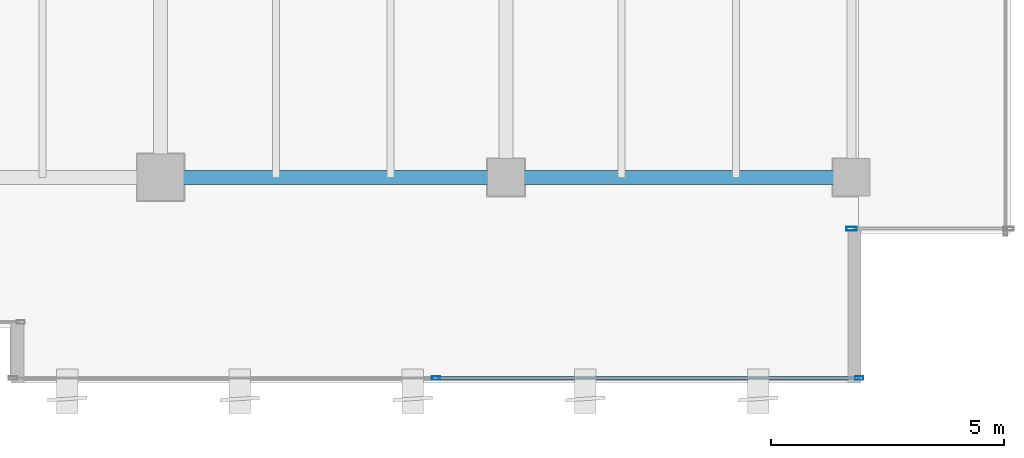
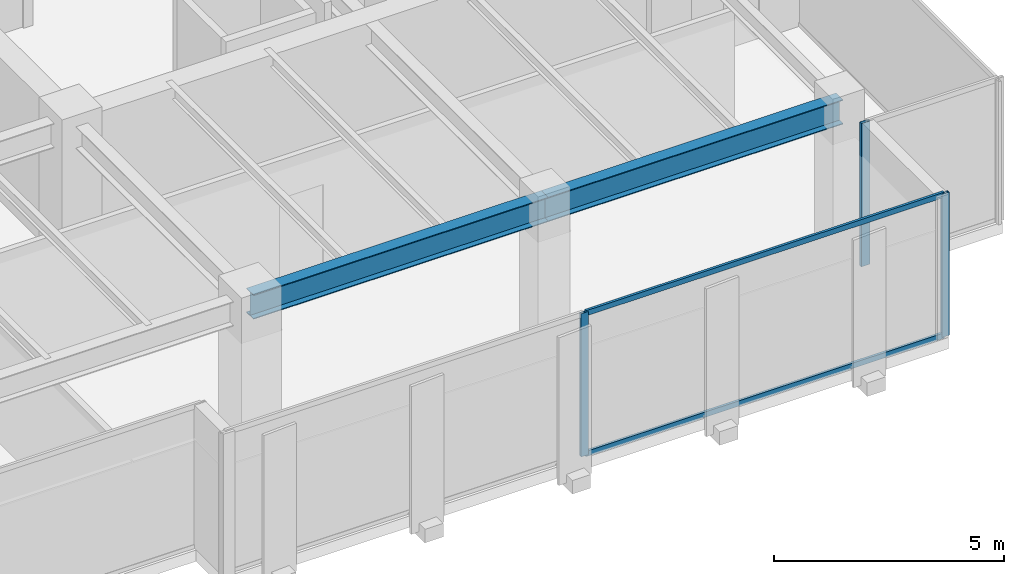
# One storey, part 13 of 35: 5 members, 2 beams, 2 elements without a shape of their own.
"""IFC4 building model written with IfcOpenShell, lengths in metres."""

from ifc_helpers import new_model, si_unit, direction, frame, origin, origin_2d, place, context, subcontext, project, spatial, hollow_rectangle, i_section, extrude, source, transform, mapped, material, layer, layer_set, material_profile, profile_set, type_object, type_shapes, element, aggregate, save


model = new_model("IFC4")

# Units and contexts
model_context = context("Model", 3, precision=1e-05, world=origin(), true_north=direction((0.0, 1.0)))
body_context = subcontext(model_context, "Body", "Model", "MODEL_VIEW")
ifc_project = project(units=[si_unit("LENGTHUNIT", "METRE"), si_unit("AREAUNIT", "SQUARE_METRE"), si_unit("VOLUMEUNIT", "CUBIC_METRE"), si_unit("PLANEANGLEUNIT", "RADIAN"), si_unit("MASSUNIT", "GRAM", prefix="KILO")], contexts=[model_context])

# Site, building, storey
site_placement = place(None, origin())
site = spatial("IfcSite", under=ifc_project, at=site_placement, CompositionType="ELEMENT")
building_placement = place(site_placement, origin())
building = spatial("IfcBuilding", under=site, at=building_placement, Name="Haelvirn Gate Laboratories", CompositionType="ELEMENT")
storey_placement = place(building_placement, frame((0.0, 0.0, 201.39990234375)))
storey = spatial("IfcBuildingStorey", under=building, at=storey_placement, Name="L48", CompositionType="ELEMENT", Elevation=201.39990234375)

# Beams
ifc_material_1 = material(Name="Steel SM355", Category="steel")
ifc_material_profile_1 = material_profile(ifc_material_1, i_section(OverallWidth=0.300048828125, OverallDepth=0.64990234375, WebThickness=0.012939453125, FlangeThickness=0.02197265625, at=origin_2d()), Name="H-650x300x13x22")
ifc_profile_set_1 = profile_set([ifc_material_profile_1], Name="Steel SM355")
beam_type = type_object("IfcBeamType", Name="BM-G-650", PredefinedType="BEAM", material=ifc_profile_set_1)
shared_shape_1 = source(origin(), body_context, "Body", "SweptSolid", [
    extrude(i_section(OverallWidth=0.300048828125, OverallDepth=0.64990234375, WebThickness=0.012939453125, FlangeThickness=0.02197265625, at=origin_2d()), origin(), (0.0, 0.0, 1.0), 7.39990234375),
])
type_shapes(beam_type, [shared_shape_1])
for number, where, z_axis, x_axis, name in (
    (1, (52.60009765625, 7.0, 3.47509765625), (1.0, 0.0, 0.0), (0.0, 1.0, 0.0), "L48 Primary Girder Y7.0 (52.6-60.0)"),
    (2, (60.0, 7.0, 3.47509765625), (1.0, 0.0, 0.0), (0.0, 1.0, 0.0), "L48 Primary Girder Y7.0 (60.0-67.4)"),
):
    element("IfcBeam", number, at=place(storey_placement, frame(where, z_axis=z_axis, x_axis=x_axis)), inside=storey, type_object=beam_type, Name=name, PredefinedType="BEAM", context=body_context, shape_type="MappedRepresentation", body=[
        mapped(shared_shape_1, transform((0.0, 0.0, 0.0), scale=1.0)),
    ])

# Curtain wall, members
ifc_material_2 = material(Name="Anodised bronze unitised aluminium & triple low-E glass", Category="aluminium")
ifc_layer_1 = layer(ifc_material_2, 0.176025390625, Name="CW-SYS-4")
ifc_layer_set_1 = layer_set([ifc_layer_1], Name="Anodised bronze unitised aluminium & triple low-E glass")
curtain_wall_type_1 = type_object("IfcCurtainWallType", Name="CW-SYS-4", PredefinedType="NOTDEFINED", material=ifc_layer_set_1)
curtain_wall_1_placement = place(storey_placement, origin())
curtain_wall_1 = element("IfcCurtainWall", 3, at=curtain_wall_1_placement, inside=storey, type_object=curtain_wall_type_1, Name="L48 Unitised Curtain Wall CW-L48-P0-E04-1", PredefinedType="NOTDEFINED")
ifc_material_3 = material(Name="Extruded aluminium 6063-T6 (anodised bronze)", Category="aluminium")
ifc_material_profile_2 = material_profile(ifc_material_3, hollow_rectangle(XDim=0.06494140625, YDim=0.139892578125, WallThickness=0.00390625, at=origin_2d()), Name="CWT-140x65x4")
ifc_profile_set_2 = profile_set([ifc_material_profile_2], Name="Extruded aluminium 6063-T6 (anodised bronze)")
member_type_1 = type_object("IfcMemberType", Name="CWT-T140", PredefinedType="USERDEFINED", material=ifc_profile_set_2)
shared_shape_2 = source(origin(), body_context, "Body", "SweptSolid", [
    extrude(hollow_rectangle(XDim=0.06494140625, YDim=0.139892578125, WallThickness=0.00390625, at=origin_2d()), origin(), (0.0, 0.0, 1.0), 8.9951171875),
])
type_shapes(member_type_1, [shared_shape_2])
member_1_placement = place(storey_placement, frame((58.534912109375, 2.699951171875, 0.03271484375), z_axis=(1.0, 0.0, 0.0), x_axis=(0.0, 1.0, 0.0)))
member_1 = element("IfcMember", 4, at=member_1_placement, type_object=member_type_1, Name="CW4 transom 2.1", ObjectType="TRANSOM", PredefinedType="USERDEFINED", context=body_context, shape_type="MappedRepresentation", body=[
    mapped(shared_shape_2, transform((0.0, 0.0, 0.0), scale=1.0)),
])
member_2_placement = place(storey_placement, frame((58.534912109375, 2.699951171875, 3.767578125), z_axis=(1.0, 0.0, 0.0), x_axis=(0.0, 1.0, 0.0)))
member_2 = element("IfcMember", 5, at=member_2_placement, type_object=member_type_1, Name="CW4 transom 2.2", ObjectType="TRANSOM", PredefinedType="USERDEFINED", context=body_context, shape_type="MappedRepresentation", body=[
    mapped(shared_shape_2, transform((0.0, 0.0, 0.0), scale=1.0)),
])
ifc_material_profile_3 = material_profile(ifc_material_3, hollow_rectangle(XDim=0.070068359375, YDim=0.179931640625, WallThickness=0.0048828125, at=origin_2d()), Name="CWM-180x70x5")
ifc_profile_set_3 = profile_set([ifc_material_profile_3], Name="Extruded aluminium 6063-T6 (anodised bronze)")
member_type_2 = type_object("IfcMemberType", Name="CWM-T180", PredefinedType="MULLION", material=ifc_profile_set_3)
shared_shape_3 = source(origin(), body_context, "Body", "SweptSolid", [
    extrude(hollow_rectangle(XDim=0.070068359375, YDim=0.179931640625, WallThickness=0.0048828125, at=origin_2d()), origin(), (0.0, 0.0, 1.0), 3.800048828125),
])
type_shapes(member_type_2, [shared_shape_3])
member_3_placement = place(storey_placement, frame((58.5, 2.699951171875, 0.0), z_axis=(0.0, 0.0, 1.0), x_axis=(0.0, 1.0, 0.0)))
member_3 = element("IfcMember", 6, at=member_3_placement, type_object=member_type_2, Name="CW4 mullion 2", PredefinedType="MULLION", context=body_context, shape_type="MappedRepresentation", body=[
    mapped(shared_shape_3, transform((0.0, 0.0, 0.0), scale=1.0)),
])
member_4_placement = place(storey_placement, frame((67.56494140625, 2.699951171875, 0.0), z_axis=(0.0, 0.0, 1.0), x_axis=(0.0, 1.0, 0.0)))
member_4 = element("IfcMember", 7, at=member_4_placement, type_object=member_type_2, Name="CW4 mullion 3", PredefinedType="MULLION", context=body_context, shape_type="MappedRepresentation", body=[
    mapped(shared_shape_3, transform((0.0, 0.0, 0.0), scale=1.0)),
])
aggregate(curtain_wall_1, [member_3, member_4, member_1, member_2])

# Curtain wall, member
ifc_layer_2 = layer(ifc_material_2, 0.181884765625, Name="CW-SYS-5")
ifc_layer_set_2 = layer_set([ifc_layer_2], Name="Anodised bronze unitised aluminium & triple low-E glass")
curtain_wall_type_2 = type_object("IfcCurtainWallType", Name="CW-SYS-5", PredefinedType="NOTDEFINED", material=ifc_layer_set_2)
curtain_wall_2_placement = place(storey_placement, origin())
curtain_wall_2 = element("IfcCurtainWall", 8, at=curtain_wall_2_placement, inside=storey, type_object=curtain_wall_type_2, Name="L48 Unitised Curtain Wall CW-L48-P0-E06-1", PredefinedType="NOTDEFINED")
ifc_material_profile_4 = material_profile(ifc_material_3, hollow_rectangle(XDim=0.080078125, YDim=0.219970703125, WallThickness=0.006103515625, at=origin_2d()), Name="CWM-220x80x6")
ifc_profile_set_4 = profile_set([ifc_material_profile_4], Name="Extruded aluminium 6063-T6 (anodised bronze)")
member_type_3 = type_object("IfcMemberType", Name="CWM-T220", PredefinedType="MULLION", material=ifc_profile_set_4)
shared_shape_4 = source(origin(), body_context, "Body", "SweptSolid", [
    extrude(hollow_rectangle(XDim=0.080078125, YDim=0.219970703125, WallThickness=0.006103515625, at=origin_2d()), origin(), (0.0, 0.0, 1.0), 3.800048828125),
])
type_shapes(member_type_3, [shared_shape_4])
member_5_placement = place(storey_placement, frame((67.39990234375, 5.89990234375, 0.0), z_axis=(0.0, 0.0, 1.0), x_axis=(0.0, 1.0, 0.0)))
member_5 = element("IfcMember", 9, at=member_5_placement, type_object=member_type_3, Name="CW5 mullion 1", PredefinedType="MULLION", context=body_context, shape_type="MappedRepresentation", body=[
    mapped(shared_shape_4, transform((0.0, 0.0, 0.0), scale=1.0)),
])
aggregate(curtain_wall_2, [member_5])

save(model, "model.ifc")
